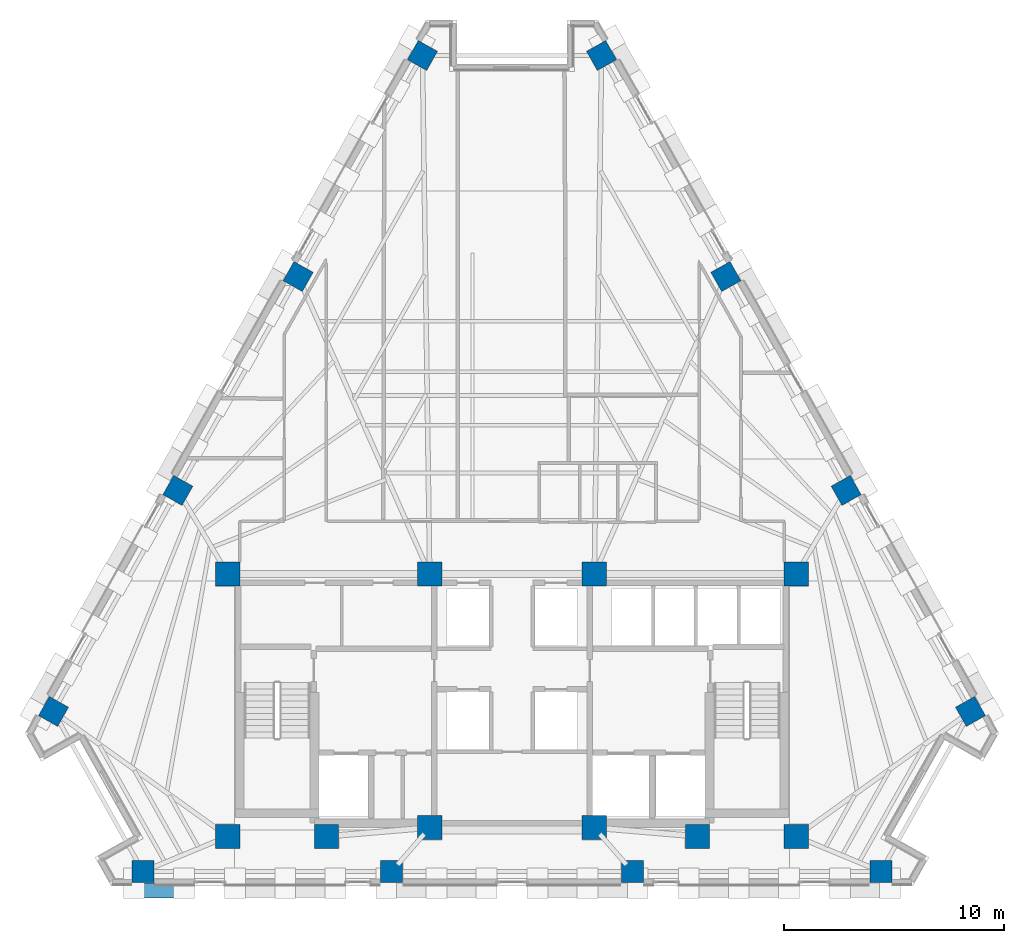
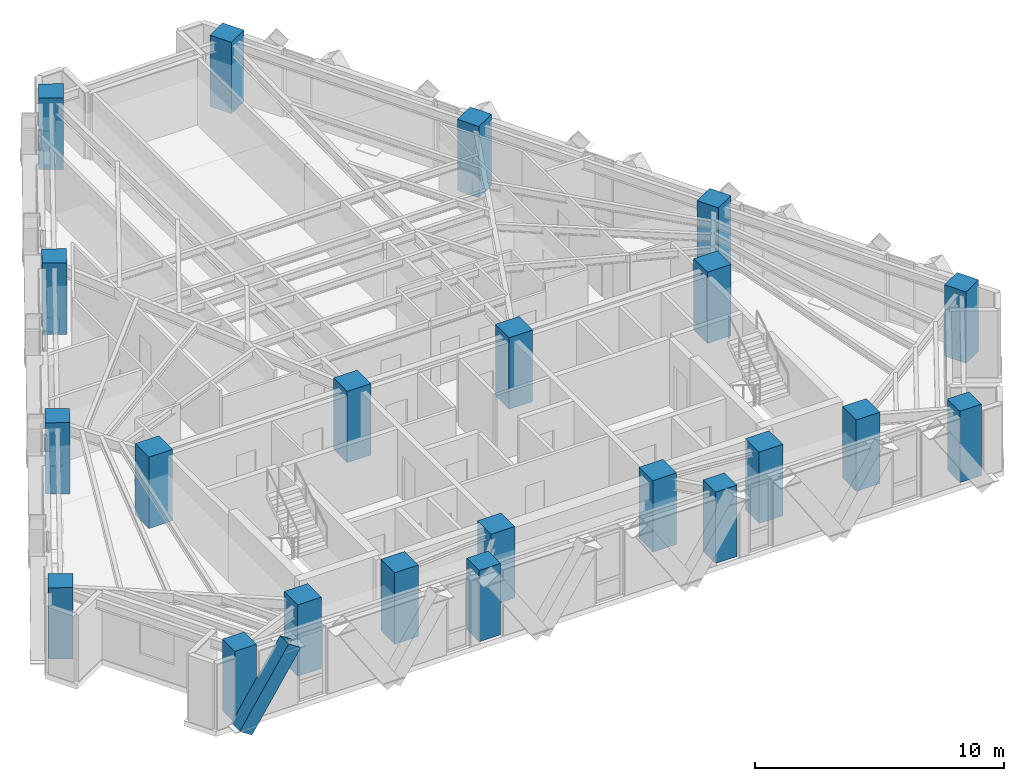
# One storey, part 1 of 13: 22 columns, 1 member.
"""IFC4 building model written with IfcOpenShell, lengths in metres."""

from ifc_helpers import new_model, si_unit, direction, frame, origin, origin_2d, place, context, subcontext, project, spatial, rectangle, hollow_rectangle, extrude, material, material_profile, profile_set, type_object, element, save


model = new_model("IFC4")

# Units and contexts
model_context = context("Model", 3, precision=1e-05, world=origin(), true_north=direction((0.0, 1.0)))
body_context = subcontext(model_context, "Body", "Model", "MODEL_VIEW")
ifc_project = project(units=[si_unit("LENGTHUNIT", "METRE"), si_unit("AREAUNIT", "SQUARE_METRE"), si_unit("VOLUMEUNIT", "CUBIC_METRE"), si_unit("PLANEANGLEUNIT", "RADIAN"), si_unit("MASSUNIT", "GRAM", prefix="KILO")], contexts=[model_context])

# Site, building, storey
site_placement = place(None, origin())
site = spatial("IfcSite", under=ifc_project, at=site_placement, CompositionType="ELEMENT")
building_placement = place(site_placement, origin())
building = spatial("IfcBuilding", under=site, at=building_placement, Name="Quenlor Broadcast Tower", CompositionType="ELEMENT")
storey_placement = place(building_placement, frame((0.0, 0.0, 172.0)))
storey = spatial("IfcBuildingStorey", under=building, at=storey_placement, Name="L47", CompositionType="ELEMENT", Elevation=172.0)

# Columns
ifc_material_1 = material(Name="Concrete C65/80", Category="concrete")
ifc_material_profile_1 = material_profile(ifc_material_1, rectangle(XDim=1.10009765625, YDim=1.10009765625, at=origin_2d()))
ifc_profile_set_1 = profile_set([ifc_material_profile_1], Name="Concrete C65/80 RC1100x1100")
column_type_1 = type_object("IfcColumnType", Name="Core Corner Column Mid Concrete C65/80 1100", PredefinedType="COLUMN", material=ifc_profile_set_1)
for number, where, z_axis, x_axis, name in (
    (1, (-12.949951171875, -16.75, 0.0), (0.0, 0.0, 1.0), (1.0, 0.0, 0.0), "L47 Core Column CC1"),
    (2, (-8.449951171875, -16.75, 0.0), (0.0, 0.0, 1.0), (1.0, 0.0, 0.0), "L47 Core Column CC2"),
    (3, (-3.75, -16.35009765625, 0.0), (0.0, 0.0, 1.0), (1.0, 0.0, 0.0), "L47 Core Column CC3"),
    (4, (3.75, -16.35009765625, 0.0), (0.0, 0.0, 1.0), (1.0, 0.0, 0.0), "L47 Core Column CC4"),
    (5, (8.449951171875, -16.75, 0.0), (0.0, 0.0, 1.0), (1.0, 0.0, 0.0), "L47 Core Column CC5"),
    (6, (12.949951171875, -16.75, 0.0), (0.0, 0.0, 1.0), (1.0, 0.0, 0.0), "L47 Core Column CC6"),
    (7, (-12.949951171875, -4.800048828125, 0.0), (0.0, 0.0, 1.0), (1.0, 0.0, 0.0), "L47 Core Column CC7"),
    (8, (-3.75, -4.800048828125, 0.0), (0.0, 0.0, 1.0), (1.0, 0.0, 0.0), "L47 Core Column CC8"),
    (9, (3.75, -4.800048828125, 0.0), (0.0, 0.0, 1.0), (1.0, 0.0, 0.0), "L47 Core Column CC9"),
    (10, (12.949951171875, -4.800048828125, 0.0), (0.0, 0.0, 1.0), (1.0, 0.0, 0.0), "L47 Core Column CC10"),
):
    element("IfcColumn", number, at=place(storey_placement, frame(where, z_axis=z_axis, x_axis=x_axis)), inside=storey, type_object=column_type_1, Name=name, PredefinedType="COLUMN", context=body_context, shape_type="SweptSolid", body=[
        extrude(rectangle(XDim=1.10009765625, YDim=1.10009765625, at=origin_2d()), origin(), (0.0, 0.0, 1.0), 3.5),
    ])
ifc_material_2 = material(Name="Concrete C50/60", Category="concrete")
ifc_material_profile_2 = material_profile(ifc_material_2, rectangle(XDim=1.0, YDim=1.0, at=origin_2d()))
ifc_profile_set_2 = profile_set([ifc_material_profile_2], Name="Concrete C50/60 RC1000x1000")
column_type_2 = type_object("IfcColumnType", Name="Tower Perimeter Column Z3 Concrete C50/60 1000", PredefinedType="COLUMN", material=ifc_profile_set_2)
for number, where, z_axis, x_axis, name in (
    (11, (-16.808349609375, -18.35009765625, 0.0), (0.0, 0.0, 1.0), (0.0, 1.0, 0.0), "L47 Perimeter Column S1"),
    (12, (-5.48095703125, -18.35009765625, 0.0), (0.0, 0.0, 1.0), (0.0, 1.0, 0.0), "L47 Perimeter Column S2"),
    (13, (5.48095703125, -18.35009765625, 0.0), (0.0, 0.0, 1.0), (0.0, 1.0, 0.0), "L47 Perimeter Column S3"),
    (14, (16.808349609375, -18.35009765625, 0.0), (0.0, 0.0, 1.0), (0.0, 1.0, 0.0), "L47 Perimeter Column S4"),
    (15, (20.8876953125, -11.0595703125, 0.0), (0.0, 0.0, 1.0), (0.871575139605, 0.490261946333, 0.0), "L47 Perimeter Column NE1"),
    (16, (15.22412109375, -0.99072265625, 0.0), (0.0, 0.0, 1.0), (0.871575139605, 0.490261946333, 0.0), "L47 Perimeter Column NE2"),
    (17, (9.742919921875, 8.75341796875, 0.0), (0.0, 0.0, 1.0), (0.871575139605, 0.490261946333, 0.0), "L47 Perimeter Column NE3"),
    (18, (4.079345703125, 18.822021484375, 0.0), (0.0, 0.0, 1.0), (0.871575139605, 0.490261946333, 0.0), "L47 Perimeter Column NE4"),
    (19, (-4.079345703125, 18.822021484375, 0.0), (0.0, 0.0, 1.0), (-0.871575139605, 0.490261946333, 0.0), "L47 Perimeter Column NW1"),
    (20, (-9.742919921875, 8.75341796875, 0.0), (0.0, 0.0, 1.0), (-0.871575139605, 0.490261946333, 0.0), "L47 Perimeter Column NW2"),
    (21, (-15.22412109375, -0.99072265625, 0.0), (0.0, 0.0, 1.0), (-0.871575139605, 0.490261946333, 0.0), "L47 Perimeter Column NW3"),
    (22, (-20.8876953125, -11.0595703125, 0.0), (0.0, 0.0, 1.0), (-0.871575139605, 0.490261946333, 0.0), "L47 Perimeter Column NW4"),
):
    element("IfcColumn", number, at=place(storey_placement, frame(where, z_axis=z_axis, x_axis=x_axis)), inside=storey, type_object=column_type_2, Name=name, PredefinedType="COLUMN", context=body_context, shape_type="SweptSolid", body=[
        extrude(rectangle(XDim=1.0, YDim=1.0, at=origin_2d()), origin(), (0.0, 0.0, 1.0), 3.5),
    ])

# Member
ifc_material_3 = material(Name="Steel S355", Category="steel")
ifc_material_profile_3 = material_profile(ifc_material_3, hollow_rectangle(XDim=0.679931640625, YDim=0.679931640625, WallThickness=0.02490234375, at=origin_2d()))
ifc_profile_set_3 = profile_set([ifc_material_profile_3], Name="Steel S355 RHS680x680x25")
member_type = type_object("IfcMemberType", Name="Perimeter Diagonal Lattice Brace Z3-Z4 Steel S355 RHS680x25", PredefinedType="BRACE", material=ifc_profile_set_3)
member_placement = place(storey_placement, frame((-17.206298828125, -19.219970703125, -0.1201171875), z_axis=(0.543901560697, 0.0, 0.839149028643), x_axis=(0.0, 1.0, 0.0)))
element("IfcMember", 23, at=member_placement, inside=storey, type_object=member_type, Name="L47 Perimeter Diamond Lattice S-C5B", PredefinedType="BRACE", context=body_context, shape_type="SweptSolid", body=[
    extrude(hollow_rectangle(XDim=0.679931640625, YDim=0.679931640625, WallThickness=0.02490234375, at=origin_2d()), origin(), (0.0, 0.0, 1.0), 4.1708984375),
])

save(model, "model.ifc")
